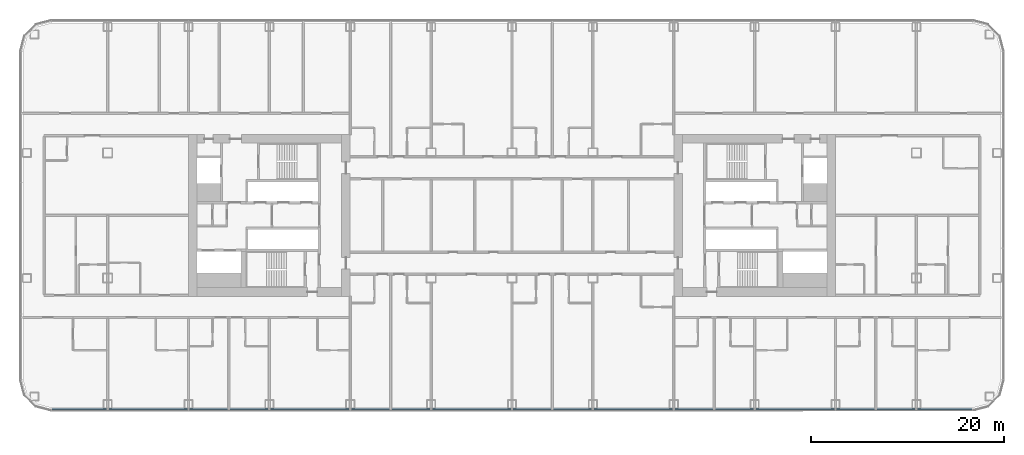
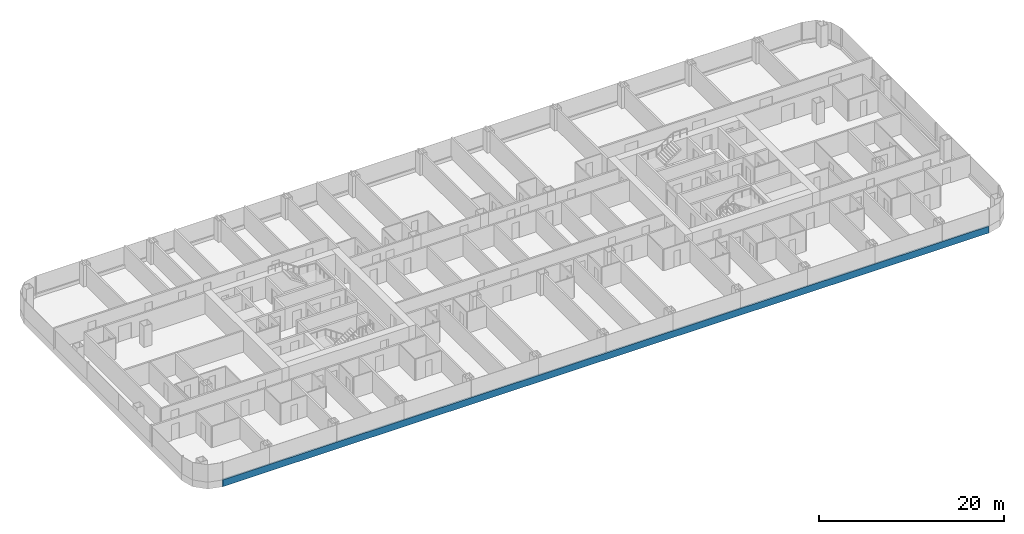
# One storey, part 5 of 29: 1 member, 1 element without a shape of its own.
"""IFC4 building model written with IfcOpenShell, lengths in metres."""

import ifcopenshell
import ifcopenshell.guid

model = None  # the IFC model being written
_history = None  # IfcOwnerHistory: only IFC2X3 demands one
_inside = {}  # id of a spatial element -> (the spatial element, [elements in it])
_under = {}  # id of a project, library or spatial element -> (it, [spatial elements below it])
_declared = {}  # id of a project -> (the project, [libraries it declares])
_typed = {}  # id of a type object -> (the type object, [elements of that type])
_made_of = {}  # id of a material, layer set ... -> (it, [elements and type objects made of it])


def new_model(schema):
    """Start an empty IFC model of exactly this schema.

    Asked for "IFC4X3", IfcOpenShell would pick the latest addendum, in which some entities
    have other attributes; the version numbers below select the first issue.
    IFC2X3 requires an IfcOwnerHistory on every rooted entity: one is made here for all.
    """
    global model, _history
    if schema == "IFC4X3":
        model = ifcopenshell.file(schema_version=(4, 3, 0, 0))
    else:
        model = ifcopenshell.file(schema=schema)
    _inside.clear()
    _under.clear()
    _declared.clear()
    _typed.clear()
    _made_of.clear()
    _history = None
    if model.schema == "IFC2X3":
        org = make("IfcOrganization", Name="unknown")
        user = make(
            "IfcPersonAndOrganization",
            ThePerson=make("IfcPerson", FamilyName="unknown"),
            TheOrganization=org,
        )
        app = make(
            "IfcApplication",
            ApplicationDeveloper=org,
            Version="unknown",
            ApplicationFullName="unknown",
            ApplicationIdentifier="unknown",
        )
        _history = make(
            "IfcOwnerHistory",
            OwningUser=user,
            OwningApplication=app,
            ChangeAction="ADDED",
            CreationDate=0,
        )
    return model


def make(cls, **values):
    """One entity of the class cls with the attributes given. An attribute that is None is left unset."""
    return model.create_entity(
        cls, **{name: value for name, value in values.items() if value is not None}
    )


def rooted(cls, **values):
    """An entity with a GlobalId (a new one), such as an element, a storey or a relation."""
    return make(cls, GlobalId=ifcopenshell.guid.new(), OwnerHistory=_history, **values)


def si_unit(unit_type, name, prefix=None):
    """IfcSIUnit, for example si_unit("LENGTHUNIT", "METRE", prefix="MILLI")."""
    return make("IfcSIUnit", UnitType=unit_type, Prefix=prefix, Name=name)


def assignment(units):
    """IfcUnitAssignment: the units of a project."""
    return None if units is None else make("IfcUnitAssignment", Units=units)


def point(xyz):
    """IfcCartesianPoint."""
    return None if xyz is None else make("IfcCartesianPoint", Coordinates=xyz)


def direction(xyz):
    """IfcDirection."""
    return None if xyz is None else make("IfcDirection", DirectionRatios=xyz)


def frame(location, z_axis=None, x_axis=None):
    """IfcAxis2Placement3D, a coordinate frame: its origin and axes. An axis left out is left unset."""
    return make(
        "IfcAxis2Placement3D",
        Location=point(location),
        Axis=direction(z_axis),
        RefDirection=direction(x_axis),
    )


def frame_2d(location, x_axis=None):
    """IfcAxis2Placement2D, a coordinate frame in the plane: its origin and x axis."""
    return make(
        "IfcAxis2Placement2D", Location=point(location), RefDirection=direction(x_axis)
    )


def origin():
    """The frame at (0, 0, 0) with its axes left unset."""
    return frame((0.0, 0.0, 0.0))


def origin_2d():
    """The frame at (0, 0) in the plane with its x axis left unset."""
    return frame_2d((0.0, 0.0))


def place(relative_to, where):
    """IfcLocalPlacement: puts the frame where relative to a parent placement (None: the world)."""
    return make(
        "IfcLocalPlacement", PlacementRelTo=relative_to, RelativePlacement=where
    )


def context(
    kind, dimensions, precision=None, world=None, true_north=None, identifier=None
):
    """IfcGeometricRepresentationContext, for example the 3D "Model" context."""
    return make(
        "IfcGeometricRepresentationContext",
        ContextIdentifier=identifier,
        ContextType=kind,
        CoordinateSpaceDimension=dimensions,
        Precision=precision,
        WorldCoordinateSystem=world,
        TrueNorth=true_north,
    )


def subcontext(parent, identifier, kind, view, scale=None):
    """IfcGeometricRepresentationSubContext, for example "Body" below "Model"."""
    return make(
        "IfcGeometricRepresentationSubContext",
        ContextIdentifier=identifier,
        ContextType=kind,
        ParentContext=parent,
        TargetScale=scale,
        TargetView=view,
    )


def project(units=None, contexts=None):
    """IfcProject with its units and contexts."""
    return rooted(
        "IfcProject",
        Name="project",
        RepresentationContexts=contexts,
        UnitsInContext=assignment(units),
    )


def spatial(cls, under=None, at=None, **own):
    """A site, building, storey or space (cls), placed at a placement, below another one or the project."""
    s = rooted(cls, ObjectPlacement=at, **own)
    if under is not None:
        _under.setdefault(under.id(), (under, []))[1].append(s)
    return s


def profile(cls, at=None, kind="AREA", **sizes):
    """A parametric profile (cls). Its sizes go by their IFC names, for example OverallWidth=200.0."""
    return make(cls, ProfileType=kind, Position=at, **sizes)


def rectangle(**sizes):
    """IfcRectangleProfileDef."""
    return profile("IfcRectangleProfileDef", **sizes)


def extrude(swept, where, along, depth):
    """IfcExtrudedAreaSolid: the profile swept, set in the frame where, extruded along a direction by depth."""
    return make(
        "IfcExtrudedAreaSolid",
        SweptArea=swept,
        Position=where,
        ExtrudedDirection=direction(along),
        Depth=depth,
    )


def shape(context_of_items, identifier, shape_type, items):
    """IfcShapeRepresentation: the items that make up one representation, for example the "Body"."""
    return make(
        "IfcShapeRepresentation",
        ContextOfItems=context_of_items,
        RepresentationIdentifier=identifier,
        RepresentationType=shape_type,
        Items=items,
    )


def material(Name=None, Category=None):
    """IfcMaterial."""
    return make("IfcMaterial", Name=Name, Category=Category)


def layer(
    of_material, thickness, ventilated=None, Name=None, Category=None, Priority=None
):
    """IfcMaterialLayer: one layer of a wall or slab, of a material (None: an air gap)."""
    return make(
        "IfcMaterialLayer",
        Material=of_material,
        LayerThickness=thickness,
        IsVentilated=ventilated,
        Name=Name,
        Category=Category,
        Priority=Priority,
    )


def layer_set(layers, Name=None):
    """IfcMaterialLayerSet."""
    return make("IfcMaterialLayerSet", MaterialLayers=layers, LayerSetName=Name)


def material_profile(
    of_material, cross_section, Name=None, Category=None, Priority=None
):
    """IfcMaterialProfile: a cross section and its material."""
    return make(
        "IfcMaterialProfile",
        Name=Name,
        Material=of_material,
        Profile=cross_section,
        Priority=Priority,
        Category=Category,
    )


def profile_set(profiles, Name=None, composite=None):
    """IfcMaterialProfileSet."""
    return make(
        "IfcMaterialProfileSet",
        Name=Name,
        MaterialProfiles=profiles,
        CompositeProfile=composite,
    )


def made_of(thing, what):
    """Note that an element or type object is made of a material, layer set ...; save() writes the relation."""
    if what is not None:
        _made_of.setdefault(what.id(), (what, []))[1].append(thing)
    return thing


def type_object(cls, material=None, **own):
    """A type object (cls), such as IfcWallType, which elements share."""
    return made_of(rooted(cls, **own), material)


def element(
    cls,
    number,
    at=None,
    inside=None,
    cuts=None,
    type_object=None,
    material=None,
    context=None,
    identifier="Body",
    shape_type=None,
    held_by="IfcProductDefinitionShape",
    body=None,
    shapes=None,
    **own,
):
    """One element of the class cls, such as IfcWall. Its Tag is "e" and its number.

    at: its placement. inside: the storey or other place that contains it. cuts: it is an
    opening in that element (IfcRelVoidsElement). A single representation is given by context,
    identifier, shape_type and body (its items); several are given by shapes. held_by: the class
    of the entity that holds the representations. save() writes the other relations.
    """
    e = rooted(cls, Tag="e%d" % number, ObjectPlacement=at, **own)
    if body is not None:
        shapes = [shape(context, identifier, shape_type, body)]
    if shapes is not None:
        e.Representation = make(held_by, Representations=shapes)
    if inside is not None:
        _inside.setdefault(inside.id(), (inside, []))[1].append(e)
    if cuts is not None:
        rooted(
            "IfcRelVoidsElement", RelatingBuildingElement=cuts, RelatedOpeningElement=e
        )
    if type_object is not None:
        _typed.setdefault(type_object.id(), (type_object, []))[1].append(e)
    return made_of(e, material)


def aggregate(whole, parts):
    """IfcRelAggregates: a whole, such as a stair, and the parts it consists of."""
    return rooted("IfcRelAggregates", RelatingObject=whole, RelatedObjects=parts)


def save(model, path):
    """Write the relations noted so far, then the file.

    IfcRelAggregates (storeys below a building ...), IfcRelContainedInSpatialStructure (elements
    in a storey), IfcRelDefinesByType, IfcRelAssociatesMaterial and IfcRelDeclares: one each for
    every whole, place, type object, material and project.
    """
    for whole, parts in _under.values():
        aggregate(whole, parts)
    for where, things in _inside.values():
        rooted(
            "IfcRelContainedInSpatialStructure",
            RelatedElements=things,
            RelatingStructure=where,
        )
    for kind, things in _typed.values():
        rooted("IfcRelDefinesByType", RelatedObjects=things, RelatingType=kind)
    for what, things in _made_of.values():
        rooted("IfcRelAssociatesMaterial", RelatedObjects=things, RelatingMaterial=what)
    for by, libraries in _declared.values():
        rooted("IfcRelDeclares", RelatingContext=by, RelatedDefinitions=libraries)
    model.write(path)


model = new_model("IFC4")

# Units and contexts
model_context = context("Model", 3, precision=1e-05, world=origin(), true_north=direction((0.0, 1.0)))
body_context = subcontext(model_context, "Body", "Model", "MODEL_VIEW")
ifc_project = project(units=[si_unit("LENGTHUNIT", "METRE"), si_unit("AREAUNIT", "SQUARE_METRE"), si_unit("VOLUMEUNIT", "CUBIC_METRE"), si_unit("PLANEANGLEUNIT", "RADIAN"), si_unit("MASSUNIT", "GRAM", prefix="KILO")], contexts=[model_context])

# Site, building, storey
site_placement = place(None, origin())
site = spatial("IfcSite", under=ifc_project, at=site_placement, CompositionType="ELEMENT")
building_placement = place(site_placement, origin())
building = spatial("IfcBuilding", under=site, at=building_placement, Name="Hakoniwa Tower and Hamabe Station Hall", CompositionType="ELEMENT")
storey_placement = place(building_placement, frame((0.0, 0.0, 29.39990234375)))
storey = spatial("IfcBuildingStorey", under=building, at=storey_placement, Name="L07", CompositionType="ELEMENT", Elevation=29.39990234375)

# Curtain wall, member
ifc_material_1 = material(Name="Dark low-e laminated glass", Category="glass")
ifc_layer = layer(ifc_material_1, 0.199951171875)
ifc_layer_set = layer_set([ifc_layer], Name="CW-1 UNITISED GUEST")
curtain_wall_type = type_object("IfcCurtainWallType", Name="CW-1 UNITISED GUEST", PredefinedType="NOTDEFINED", material=ifc_layer_set)
curtain_wall_placement = place(storey_placement, origin())
curtain_wall = element("IfcCurtainWall", 1, at=curtain_wall_placement, inside=storey, type_object=curtain_wall_type, Name="CW-1 curtain wall", PredefinedType="NOTDEFINED")
ifc_material_2 = material(Name="Aluminium 6063-T5 black anodised", Category="aluminium")
ifc_material_profile = material_profile(ifc_material_2, rectangle(XDim=0.199951171875, YDim=0.89990234375, at=origin_2d()), Name="CW SLAB-EDGE BAND 900X200")
ifc_profile_set = profile_set([ifc_material_profile], Name="Aluminium 6063-T5 black anodised")
member_type = type_object("IfcMemberType", Name="CW SLAB-EDGE BAND 900X200", PredefinedType="USERDEFINED", material=ifc_profile_set)
member_placement = place(storey_placement, frame((-47.839599609375, -20.199951171875, -0.099853515625), z_axis=(1.0, 0.0, 0.0), x_axis=(0.0, 1.0, 0.0)))
member = element("IfcMember", 2, at=member_placement, type_object=member_type, Name="CW-1 transom", ObjectType="TRANSOM", PredefinedType="USERDEFINED", context=body_context, shape_type="SweptSolid", body=[
    extrude(rectangle(XDim=0.199951171875, YDim=0.89990234375, at=origin_2d()), origin(), (0.0, 0.0, 1.0), 95.67919921875),
])
aggregate(curtain_wall, [member])

save(model, "model.ifc")
